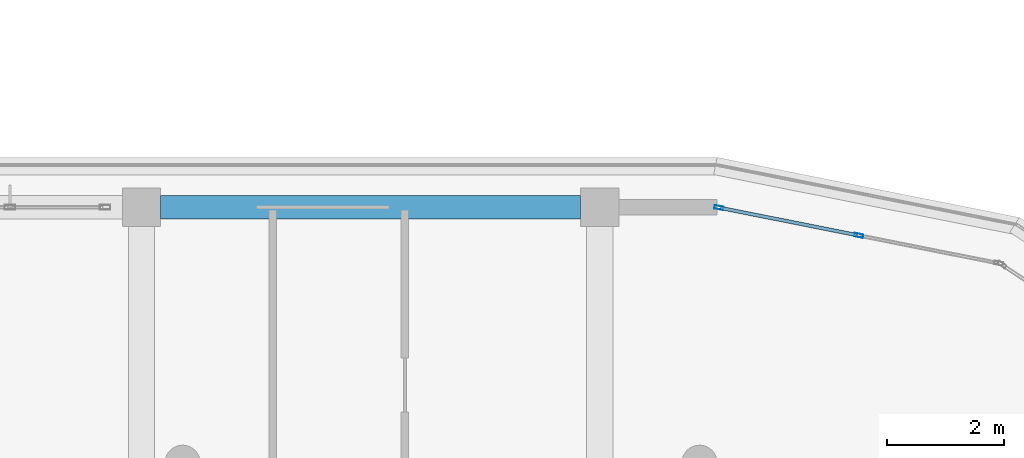
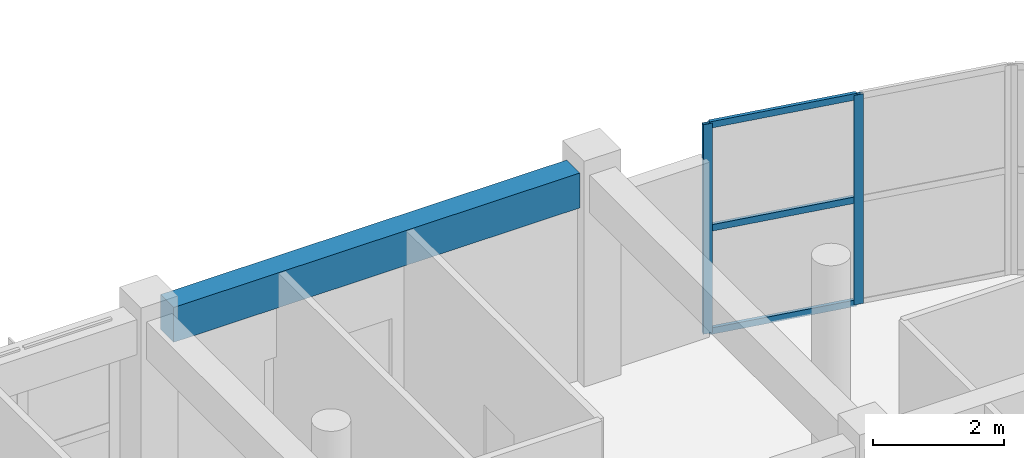
# One storey, part 35 of 63: 5 members, 1 beam, 1 element without a shape of its own.
"""IFC4 building model written with IfcOpenShell, lengths in metres."""

from ifc_helpers import new_model, si_unit, direction, frame, origin, origin_2d, place, context, subcontext, project, spatial, rectangle, hollow_rectangle, extrude, material, layer, layer_set, material_profile, profile_set, type_object, element, aggregate, save


model = new_model("IFC4")

# Units and contexts
model_context = context("Model", 3, precision=1e-05, world=origin(), true_north=direction((0.0, 1.0)))
body_context = subcontext(model_context, "Body", "Model", "MODEL_VIEW")
ifc_project = project(units=[si_unit("LENGTHUNIT", "METRE"), si_unit("AREAUNIT", "SQUARE_METRE"), si_unit("VOLUMEUNIT", "CUBIC_METRE"), si_unit("PLANEANGLEUNIT", "RADIAN"), si_unit("MASSUNIT", "GRAM", prefix="KILO")], contexts=[model_context])

# Site, building, storey
site_placement = place(None, origin())
site = spatial("IfcSite", under=ifc_project, at=site_placement, CompositionType="ELEMENT")
building_placement = place(site_placement, origin())
building = spatial("IfcBuilding", under=site, at=building_placement, Name="Zizhar Promenade General Hospital", CompositionType="ELEMENT")
storey_placement = place(building_placement, frame((0.0, 0.0, 18.0)))
storey = spatial("IfcBuildingStorey", under=building, at=storey_placement, Name="L04", CompositionType="ELEMENT", Elevation=18.0)

# Beam
ifc_material_1 = material(Name="Concrete C35/45", Category="concrete")
ifc_material_profile_1 = material_profile(ifc_material_1, rectangle(XDim=0.39990234375, YDim=0.64990234375, at=origin_2d()))
ifc_profile_set_1 = profile_set([ifc_material_profile_1], Name="Concrete C35/45")
beam_type = type_object("IfcBeamType", Name="BM-RC-400x650", PredefinedType="BEAM", material=ifc_profile_set_1)
beam_placement = place(storey_placement, frame((109.52490234375, 25.199951171875, 3.5849609375), z_axis=(1.0, 0.0, 0.0), x_axis=(0.0, 1.0, 0.0)))
element("IfcBeam", 1, at=beam_placement, inside=storey, type_object=beam_type, Name="Grid Beam X L04 (14-3)", PredefinedType="BEAM", context=body_context, shape_type="SweptSolid", body=[
    extrude(rectangle(XDim=0.39990234375, YDim=0.64990234375, at=origin_2d()), origin(), (0.0, 0.0, 1.0), 7.150146484375),
])

# Curtain wall, members
ifc_material_2 = material(Name="Anodised aluminium 6063-T6 and low-E glass", Category="aluminium")
ifc_layer = layer(ifc_material_2, 0.159912109375)
ifc_layer_set = layer_set([ifc_layer], Name="Anodised aluminium 6063-T6 and low-E glass")
curtain_wall_type = type_object("IfcCurtainWallType", Name="CW-WARD-ARC", PredefinedType="NOTDEFINED", material=ifc_layer_set)
curtain_wall_placement = place(storey_placement, origin())
curtain_wall = element("IfcCurtainWall", 2, at=curtain_wall_placement, inside=storey, type_object=curtain_wall_type, Name="Ward Semicircular End Glazing L04-08", PredefinedType="NOTDEFINED")
ifc_material_3 = material(Name="Anodised aluminium 6063-T6", Category="aluminium")
ifc_material_profile_2 = material_profile(ifc_material_3, hollow_rectangle(XDim=0.06005859375, YDim=0.14990234375, WallThickness=0.00390625, at=origin_2d()))
ifc_profile_set_2 = profile_set([ifc_material_profile_2], Name="Anodised aluminium 6063-T6")
member_type_1 = type_object("IfcMemberType", Name="CWM-ALU-150x60", PredefinedType="MULLION", material=ifc_profile_set_2)
member_1_placement = place(storey_placement, frame((119.029541015625, 25.194091796875, 0.0), z_axis=(0.0, 0.0, 1.0), x_axis=(0.195087259275, 0.980785889615, 0.0)))
member_1 = element("IfcMember", 3, at=member_1_placement, type_object=member_type_1, Name="CW-12 mullion 1", PredefinedType="MULLION", context=body_context, shape_type="SweptSolid", body=[
    extrude(hollow_rectangle(XDim=0.06005859375, YDim=0.14990234375, WallThickness=0.00390625, at=origin_2d()), origin(), (0.0, 0.0, 1.0), 3.89990234375),
])
member_2_placement = place(storey_placement, frame((121.410888671875, 24.720458984375, 0.0), z_axis=(0.0, 0.0, 1.0), x_axis=(0.195087259275, 0.980785889615, 0.0)))
member_2 = element("IfcMember", 4, at=member_2_placement, type_object=member_type_1, Name="CW-12 mullion 2", PredefinedType="MULLION", context=body_context, shape_type="SweptSolid", body=[
    extrude(hollow_rectangle(XDim=0.06005859375, YDim=0.14990234375, WallThickness=0.00390625, at=origin_2d()), origin(), (0.0, 0.0, 1.0), 3.89990234375),
])
ifc_material_4 = material(Name="Anodised aluminium 6063-T6", Category="aluminium")
ifc_material_profile_3 = material_profile(ifc_material_4, hollow_rectangle(XDim=0.06005859375, YDim=0.1201171875, WallThickness=0.00390625, at=origin_2d()))
ifc_profile_set_3 = profile_set([ifc_material_profile_3], Name="Anodised aluminium 6063-T6")
member_type_2 = type_object("IfcMemberType", Name="CWT-ALU-120x60", PredefinedType="USERDEFINED", material=ifc_profile_set_3)
member_3_placement = place(storey_placement, frame((119.058837890625, 25.188232421875, 0.030029296875), z_axis=(0.980794200422, -0.195045472693, 0.0), x_axis=(0.195045472693, 0.980794200422, 0.0)))
member_3 = element("IfcMember", 5, at=member_3_placement, type_object=member_type_2, Name="CW-12 transom 1.1", ObjectType="TRANSOM", PredefinedType="USERDEFINED", context=body_context, shape_type="SweptSolid", body=[
    extrude(hollow_rectangle(XDim=0.06005859375, YDim=0.1201171875, WallThickness=0.00390625, at=origin_2d()), origin(), (0.0, 0.0, 1.0), 2.3681640625),
])
member_4_placement = place(storey_placement, frame((119.058837890625, 25.188232421875, 1.949951171875), z_axis=(0.980794200422, -0.195045472693, 0.0), x_axis=(0.195045472693, 0.980794200422, 0.0)))
member_4 = element("IfcMember", 6, at=member_4_placement, type_object=member_type_2, Name="CW-12 transom 1.2", ObjectType="TRANSOM", PredefinedType="USERDEFINED", context=body_context, shape_type="SweptSolid", body=[
    extrude(hollow_rectangle(XDim=0.06005859375, YDim=0.1201171875, WallThickness=0.00390625, at=origin_2d()), origin(), (0.0, 0.0, 1.0), 2.3681640625),
])
member_5_placement = place(storey_placement, frame((119.058837890625, 25.188232421875, 3.8701171875), z_axis=(0.980794200422, -0.195045472693, 0.0), x_axis=(0.195045472693, 0.980794200422, 0.0)))
member_5 = element("IfcMember", 7, at=member_5_placement, type_object=member_type_2, Name="CW-12 transom 1.3", ObjectType="TRANSOM", PredefinedType="USERDEFINED", context=body_context, shape_type="SweptSolid", body=[
    extrude(hollow_rectangle(XDim=0.06005859375, YDim=0.1201171875, WallThickness=0.00390625, at=origin_2d()), origin(), (0.0, 0.0, 1.0), 2.3681640625),
])
aggregate(curtain_wall, [member_1, member_2, member_3, member_4, member_5])

save(model, "model.ifc")
